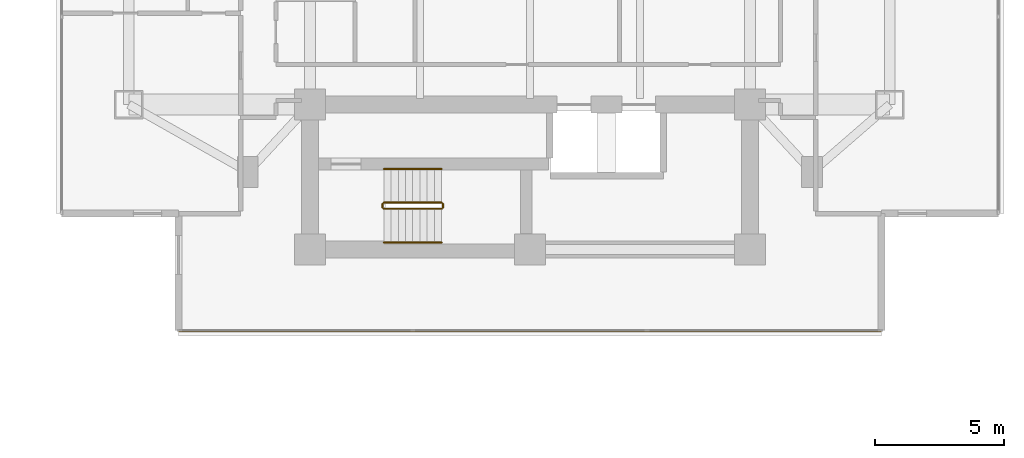
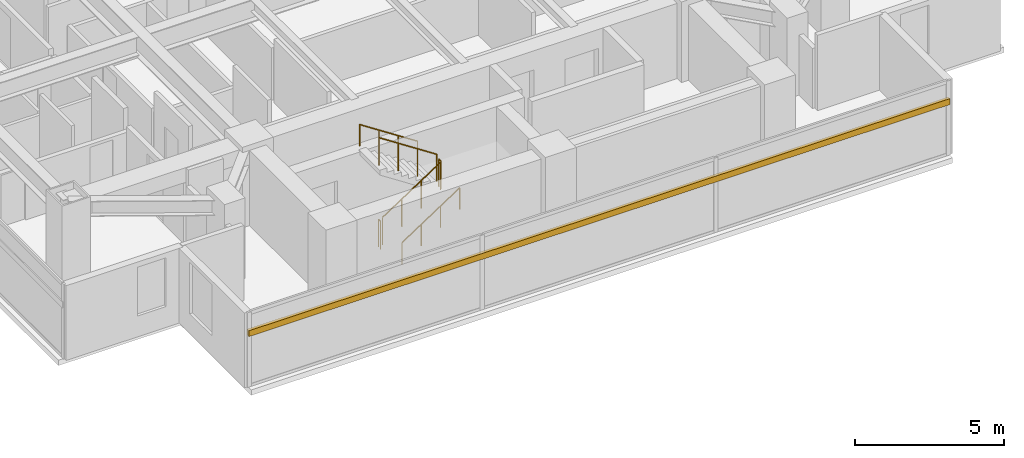
# One storey, part 22 of 24: 6 railings, 1 shading device.
"""IFC4 building model written with IfcOpenShell, lengths in metres."""

from ifc_helpers import new_model, si_unit, direction, frame, origin, origin_2d, place, context, subcontext, project, spatial, rectangle, circle, extrude, material, material_profile, profile_set, type_object, element, save


model = new_model("IFC4")

# Units and contexts
model_context = context("Model", 3, precision=1e-05, world=origin(), true_north=direction((0.0, 1.0)))
body_context = subcontext(model_context, "Body", "Model", "MODEL_VIEW")
ifc_project = project(units=[si_unit("LENGTHUNIT", "METRE"), si_unit("AREAUNIT", "SQUARE_METRE"), si_unit("VOLUMEUNIT", "CUBIC_METRE"), si_unit("PLANEANGLEUNIT", "RADIAN"), si_unit("MASSUNIT", "GRAM", prefix="KILO")], contexts=[model_context])

# Site, building, storey
site_placement = place(None, origin())
site = spatial("IfcSite", under=ifc_project, at=site_placement, CompositionType="ELEMENT")
building_placement = place(site_placement, origin())
building = spatial("IfcBuilding", under=site, at=building_placement, Name="Mirazonda Arch Towers", CompositionType="ELEMENT")
storey_placement = place(building_placement, frame((0.0, 0.0, 101.60009765625)))
storey = spatial("IfcBuildingStorey", under=building, at=storey_placement, Name="L28", CompositionType="ELEMENT", Elevation=101.60009765625)

# Shading device
ifc_material_1 = material(Name="Kiln-Fired Architectural Terracotta", Category="masonry")
ifc_material_profile = material_profile(ifc_material_1, rectangle(XDim=0.1201171875, YDim=0.239990234375, at=origin_2d()), Name="TERRA-BAG-120x240")
ifc_profile_set = profile_set([ifc_material_profile], Name="Kiln-Fired Architectural Terracotta")
shading_device_type = type_object("IfcShadingDeviceType", Name="BAGUETTE-1", PredefinedType="USERDEFINED", material=ifc_profile_set)
shading_device_placement = place(storey_placement, frame((90.078125, 12.0693359375, 2.203125), z_axis=(-1.0, 0.0, 0.0), x_axis=(0.0, -1.0, 0.0)))
element("IfcShadingDevice", 1, at=shading_device_placement, inside=storey, type_object=shading_device_type, Name="L28 Glazed Terracotta Sun-Screen Baguette CW-L28-T2-S", ObjectType="BAGUETTE", PredefinedType="USERDEFINED", context=body_context, shape_type="SweptSolid", body=[
    extrude(rectangle(XDim=0.1201171875, YDim=0.239990234375, at=origin_2d()), origin(), (0.0, 0.0, 1.0), 27.15625),
])

# Railings
ifc_material_2 = material(Name="Architectural Brushed Steel S355", Category="steel")
railing_type_1 = type_object("IfcRailingType", Name="GUARD-STAIR-1120", PredefinedType="GUARDRAIL", material=ifc_material_2)
railing_1_placement = place(storey_placement, frame((70.85009765625, 16.77001953125, 0.183349609375)))
element("IfcRailing", 2, at=railing_1_placement, inside=storey, type_object=railing_type_1, Name="L28 ST-T2S stair guard 1", PredefinedType="GUARDRAIL", context=body_context, shape_type="SweptSolid", body=[
    extrude(circle(Radius=0.02392578125, at=origin_2d()), frame((0.0, 0.0, 1.1259765625), z_axis=(0.836636935527, 0.0, 0.547757827979), x_axis=(0.0, 1.0, 0.0)), (0.0, 0.0, 1.0), 2.677490234375),
    extrude(circle(Radius=0.02099609375, at=origin_2d()), origin(), (0.0, 0.0, 1.0), 1.101806640625),
    extrude(circle(Radius=0.02099609375, at=origin_2d()), frame((0.74658203125, 0.0, 0.48876953125)), (0.0, 0.0, 1.0), 1.101806640625),
    extrude(circle(Radius=0.02099609375, at=origin_2d()), frame((1.493408203125, 0.0, 0.977783203125)), (0.0, 0.0, 1.0), 1.101806640625),
    extrude(circle(Radius=0.02099609375, at=origin_2d()), frame((2.239990234375, 0.0, 1.466552734375)), (0.0, 0.0, 1.0), 1.101806640625),
])
railing_2_placement = place(storey_placement, frame((73.139892578125, 16.820068359375, 1.64990234375)))
element("IfcRailing", 3, at=railing_2_placement, inside=storey, type_object=railing_type_1, Name="L28 ST-T2S stair guard 2", PredefinedType="GUARDRAIL", context=body_context, shape_type="SweptSolid", body=[
    extrude(circle(Radius=0.02392578125, at=origin_2d()), frame((0.0, 0.0, 1.1259765625), z_axis=(0.0, 1.0, 0.0), x_axis=(-1.0, 0.0, 0.0)), (0.0, 0.0, 1.0), 0.139892578125),
    extrude(circle(Radius=0.02099609375, at=origin_2d()), origin(), (0.0, 0.0, 1.0), 1.101806640625),
    extrude(circle(Radius=0.02099609375, at=origin_2d()), frame((0.0, 0.139892578125, 0.0)), (0.0, 0.0, 1.0), 1.101806640625),
])
railing_3_placement = place(storey_placement, frame((73.090087890625, 17.010009765625, 1.833251953125)))
element("IfcRailing", 4, at=railing_3_placement, inside=storey, type_object=railing_type_1, Name="L28 ST-T2S stair guard 3", PredefinedType="GUARDRAIL", context=body_context, shape_type="SweptSolid", body=[
    extrude(circle(Radius=0.02392578125, at=origin_2d()), frame((0.0, 0.0, 1.1259765625), z_axis=(-0.836636935527, 0.0, 0.547757827979), x_axis=(0.0, -1.0, 0.0)), (0.0, 0.0, 1.0), 2.677490234375),
    extrude(circle(Radius=0.02099609375, at=origin_2d()), origin(), (0.0, 0.0, 1.0), 1.101806640625),
    extrude(circle(Radius=0.02099609375, at=origin_2d()), frame((-0.74658203125, 0.0, 0.48876953125)), (0.0, 0.0, 1.0), 1.101806640625),
    extrude(circle(Radius=0.02099609375, at=origin_2d()), frame((-1.493408203125, 0.0, 0.977783203125)), (0.0, 0.0, 1.0), 1.101806640625),
    extrude(circle(Radius=0.02099609375, at=origin_2d()), frame((-2.239990234375, 0.0, 1.466552734375)), (0.0, 0.0, 1.0), 1.101806640625),
])
railing_4_placement = place(storey_placement, frame((70.800048828125, 16.820068359375, 0.0)))
element("IfcRailing", 5, at=railing_4_placement, inside=storey, type_object=railing_type_1, Name="L28 ST-T2S stair guard 4", PredefinedType="GUARDRAIL", context=body_context, shape_type="SweptSolid", body=[
    extrude(circle(Radius=0.02392578125, at=origin_2d()), frame((0.0, 0.0, 1.1259765625), z_axis=(0.0, 1.0, 0.0), x_axis=(-1.0, 0.0, 0.0)), (0.0, 0.0, 1.0), 0.139892578125),
    extrude(circle(Radius=0.02099609375, at=origin_2d()), origin(), (0.0, 0.0, 1.0), 1.101806640625),
    extrude(circle(Radius=0.02099609375, at=origin_2d()), frame((0.0, 0.139892578125, 0.0)), (0.0, 0.0, 1.0), 1.101806640625),
])
railing_type_2 = type_object("IfcRailingType", Name="HANDRAIL-915", PredefinedType="HANDRAIL", material=ifc_material_2)
railing_5_placement = place(storey_placement, frame((70.85009765625, 15.469970703125, 0.183349609375)))
element("IfcRailing", 6, at=railing_5_placement, inside=storey, type_object=railing_type_2, Name="L28 ST-T2S stair handrail 1", PredefinedType="HANDRAIL", context=body_context, shape_type="SweptSolid", body=[
    extrude(circle(Radius=0.02392578125, at=origin_2d()), frame((0.0, 0.0, 0.8759765625), z_axis=(0.836636935527, 0.0, 0.547757827979), x_axis=(0.0, 1.0, 0.0)), (0.0, 0.0, 1.0), 2.677490234375),
    extrude(circle(Radius=0.02099609375, at=origin_2d()), origin(), (0.0, 0.0, 1.0), 0.851806640625),
    extrude(circle(Radius=0.02099609375, at=origin_2d()), frame((0.74658203125, 0.0, 0.48876953125)), (0.0, 0.0, 1.0), 0.851806640625),
    extrude(circle(Radius=0.02099609375, at=origin_2d()), frame((1.493408203125, 0.0, 0.977783203125)), (0.0, 0.0, 1.0), 0.851806640625),
    extrude(circle(Radius=0.02099609375, at=origin_2d()), frame((2.239990234375, 0.0, 1.466552734375)), (0.0, 0.0, 1.0), 0.851806640625),
])
railing_6_placement = place(storey_placement, frame((73.090087890625, 18.31005859375, 1.833251953125)))
element("IfcRailing", 7, at=railing_6_placement, inside=storey, type_object=railing_type_2, Name="L28 ST-T2S stair handrail 2", PredefinedType="HANDRAIL", context=body_context, shape_type="SweptSolid", body=[
    extrude(circle(Radius=0.02392578125, at=origin_2d()), frame((0.0, 0.0, 0.8759765625), z_axis=(-0.836636935527, 0.0, 0.547757827979), x_axis=(0.0, -1.0, 0.0)), (0.0, 0.0, 1.0), 2.677490234375),
    extrude(circle(Radius=0.02099609375, at=origin_2d()), origin(), (0.0, 0.0, 1.0), 0.851806640625),
    extrude(circle(Radius=0.02099609375, at=origin_2d()), frame((-0.74658203125, 0.0, 0.48876953125)), (0.0, 0.0, 1.0), 0.851806640625),
    extrude(circle(Radius=0.02099609375, at=origin_2d()), frame((-1.493408203125, 0.0, 0.977783203125)), (0.0, 0.0, 1.0), 0.851806640625),
    extrude(circle(Radius=0.02099609375, at=origin_2d()), frame((-2.239990234375, 0.0, 1.466552734375)), (0.0, 0.0, 1.0), 0.851806640625),
])

save(model, "model.ifc")
